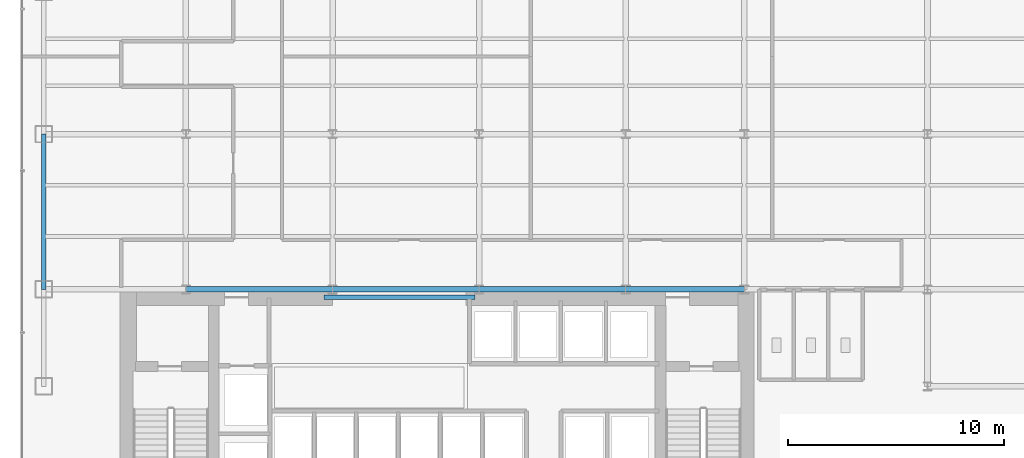
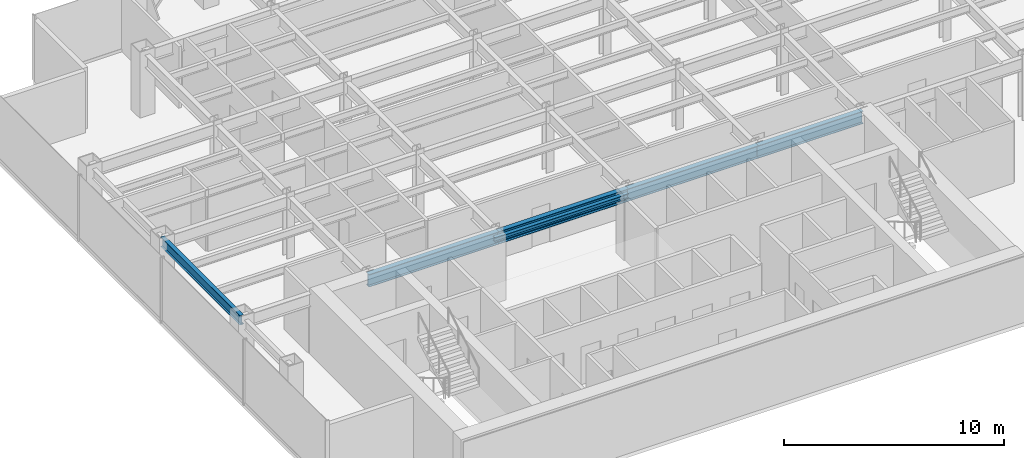
# One storey, part 3 of 25: 6 beams.
"""IFC4 building model written with IfcOpenShell, lengths in metres."""

from ifc_helpers import new_model, si_unit, derived_unit, direction, frame, origin, origin_2d, place, context, subcontext, project, spatial, i_section, extrude, source, transform, mapped, material, material_profile, profile_set, type_object, element, save


model = new_model("IFC4")

# Units and contexts
model_context = context("Model", 3, precision=1e-05, world=origin(), true_north=direction((0.0, 1.0)))
body_context = subcontext(model_context, "Body", "Model", "MODEL_VIEW")
ifc_project = project(units=[si_unit("LENGTHUNIT", "METRE"), si_unit("AREAUNIT", "SQUARE_METRE"), si_unit("VOLUMEUNIT", "CUBIC_METRE"), si_unit("PLANEANGLEUNIT", "RADIAN"), si_unit("MASSUNIT", "GRAM", prefix="KILO"), derived_unit("THERMALTRANSMITTANCEUNIT", [(si_unit("POWERUNIT", "WATT"), 1), (si_unit("LENGTHUNIT", "METRE"), -2), (si_unit("THERMODYNAMICTEMPERATUREUNIT", "KELVIN"), -1)])], contexts=[model_context])

# Site, building, storey
site_placement = place(None, origin())
site = spatial("IfcSite", under=ifc_project, at=site_placement, CompositionType="ELEMENT")
building_placement = place(site_placement, origin())
building = spatial("IfcBuilding", under=site, at=building_placement, Name="Skarnbrae Concourse Arena and Tower", CompositionType="ELEMENT")
storey_placement = place(building_placement, frame((0.0, 0.0, 88.64990234375)))
storey = spatial("IfcBuildingStorey", under=building, at=storey_placement, Name="L21", CompositionType="ELEMENT", Elevation=88.64990234375)

# Beams
ifc_material = material(Name="Steel CSA G40.21 350W", Category="steel")
ifc_material_profile_1 = material_profile(ifc_material, i_section(OverallWidth=0.202880859375, OverallDepth=0.251953125, WebThickness=0.008056640625, FlangeThickness=0.013427734375, at=origin_2d()), Name="W250X58")
ifc_profile_set_1 = profile_set([ifc_material_profile_1], Name="Steel CSA G40.21 350W")
beam_type_1 = type_object("IfcBeamType", Name="BM-LINTEL-W250X58", PredefinedType="LINTEL", material=ifc_profile_set_1)
shared_shape_1 = source(origin(), body_context, "Body", "SweptSolid", [
    extrude(i_section(OverallWidth=0.202880859375, OverallDepth=0.251953125, WebThickness=0.008056640625, FlangeThickness=0.013427734375, at=origin_2d()), origin(), (0.0, 0.0, 1.0), 7.0),
])
beam_1_placement = place(storey_placement, frame((14.0, 13.625, 3.274169921875), z_axis=(1.0, 0.0, 0.0), x_axis=(0.0, 1.0, 0.0)))
element("IfcBeam", 1, at=beam_1_placement, inside=storey, type_object=beam_type_1, Name="L21 Core portal coupling lintel", PredefinedType="LINTEL", context=body_context, shape_type="MappedRepresentation", body=[
    mapped(shared_shape_1, transform((0.0, 0.0, 0.0))),
])
ifc_material_profile_2 = material_profile(ifc_material, i_section(OverallWidth=0.256103515625, OverallDepth=0.693115234375, WebThickness=0.014404296875, FlangeThickness=0.023681640625, at=origin_2d()), Name="W690X170")
ifc_profile_set_2 = profile_set([ifc_material_profile_2], Name="Steel CSA G40.21 350W")
beam_type_2 = type_object("IfcBeamType", Name="BM-GIRD-W690X170", PredefinedType="BEAM", material=ifc_profile_set_2)
shared_shape_2 = source(origin(), body_context, "Body", "SweptSolid", [
    extrude(i_section(OverallWidth=0.256103515625, OverallDepth=0.693115234375, WebThickness=0.014404296875, FlangeThickness=0.023681640625, at=origin_2d()), origin(), (0.0, 0.0, 1.0), 6.7998046875),
])
beam_2_placement = place(storey_placement, frame((7.60009765625, 14.0, 3.0537109375), z_axis=(1.0, 0.0, 0.0), x_axis=(0.0, 1.0, 0.0)))
element("IfcBeam", 2, at=beam_2_placement, inside=storey, type_object=beam_type_2, Name="L21 Primary E-W girder Y14.0-2", PredefinedType="BEAM", context=body_context, shape_type="MappedRepresentation", body=[
    mapped(shared_shape_2, transform((0.0, 0.0, 0.0))),
])
shared_shape_3 = source(origin(), body_context, "Body", "SweptSolid", [
    extrude(i_section(OverallWidth=0.256103515625, OverallDepth=0.693115234375, WebThickness=0.014404296875, FlangeThickness=0.023681640625, at=origin_2d()), origin(), (0.0, 0.0, 1.0), 6.800048828125),
])
for number, where, z_axis, x_axis, name in (
    (3, (14.39990234375, 14.0, 3.0537109375), (1.0, 0.0, 0.0), (0.0, 1.0, 0.0), "L21 Primary E-W girder Y14.0-3"),
    (4, (21.199951171875, 14.0, 3.0537109375), (1.0, 0.0, 0.0), (0.0, 1.0, 0.0), "L21 Primary E-W girder Y14.0-4"),
):
    element("IfcBeam", number, at=place(storey_placement, frame(where, z_axis=z_axis, x_axis=x_axis)), inside=storey, type_object=beam_type_2, Name=name, PredefinedType="BEAM", context=body_context, shape_type="MappedRepresentation", body=[
        mapped(shared_shape_3, transform((0.0, 0.0, 0.0))),
    ])
shared_shape_4 = source(origin(), body_context, "Body", "SweptSolid", [
    extrude(i_section(OverallWidth=0.256103515625, OverallDepth=0.693115234375, WebThickness=0.014404296875, FlangeThickness=0.023681640625, at=origin_2d()), origin(), (0.0, 0.0, 1.0), 5.5),
])
beam_3_placement = place(storey_placement, frame((28.0, 14.0, 3.0537109375), z_axis=(1.0, 0.0, 0.0), x_axis=(0.0, 1.0, 0.0)))
element("IfcBeam", 5, at=beam_3_placement, inside=storey, type_object=beam_type_2, Name="L21 Primary E-W girder Y14.0-5", PredefinedType="BEAM", context=body_context, shape_type="MappedRepresentation", body=[
    mapped(shared_shape_4, transform((0.0, 0.0, 0.0))),
])
ifc_material_profile_3 = material_profile(ifc_material, i_section(OverallWidth=0.208984375, OverallDepth=0.532958984375, WebThickness=0.01025390625, FlangeThickness=0.015625, at=origin_2d()), Name="W530X92")
ifc_profile_set_3 = profile_set([ifc_material_profile_3], Name="Steel CSA G40.21 350W")
beam_type_3 = type_object("IfcBeamType", Name="BM-SPAN-W530X92", PredefinedType="SPANDREL", material=ifc_profile_set_3)
shared_shape_5 = source(origin(), body_context, "Body", "SweptSolid", [
    extrude(i_section(OverallWidth=0.208984375, OverallDepth=0.532958984375, WebThickness=0.01025390625, FlangeThickness=0.015625, at=origin_2d()), origin(), (0.0, 0.0, 1.0), 7.199951171875),
])
beam_4_placement = place(storey_placement, frame((1.0, 14.0, 3.133544921875), z_axis=(0.0, 1.0, 0.0), x_axis=(-1.0, 0.0, 0.0)))
element("IfcBeam", 6, at=beam_4_placement, inside=storey, type_object=beam_type_3, Name="L21 Perimeter spandrel X1.0-2", PredefinedType="SPANDREL", context=body_context, shape_type="MappedRepresentation", body=[
    mapped(shared_shape_5, transform((0.0, 0.0, 0.0))),
])

save(model, "model.ifc")
